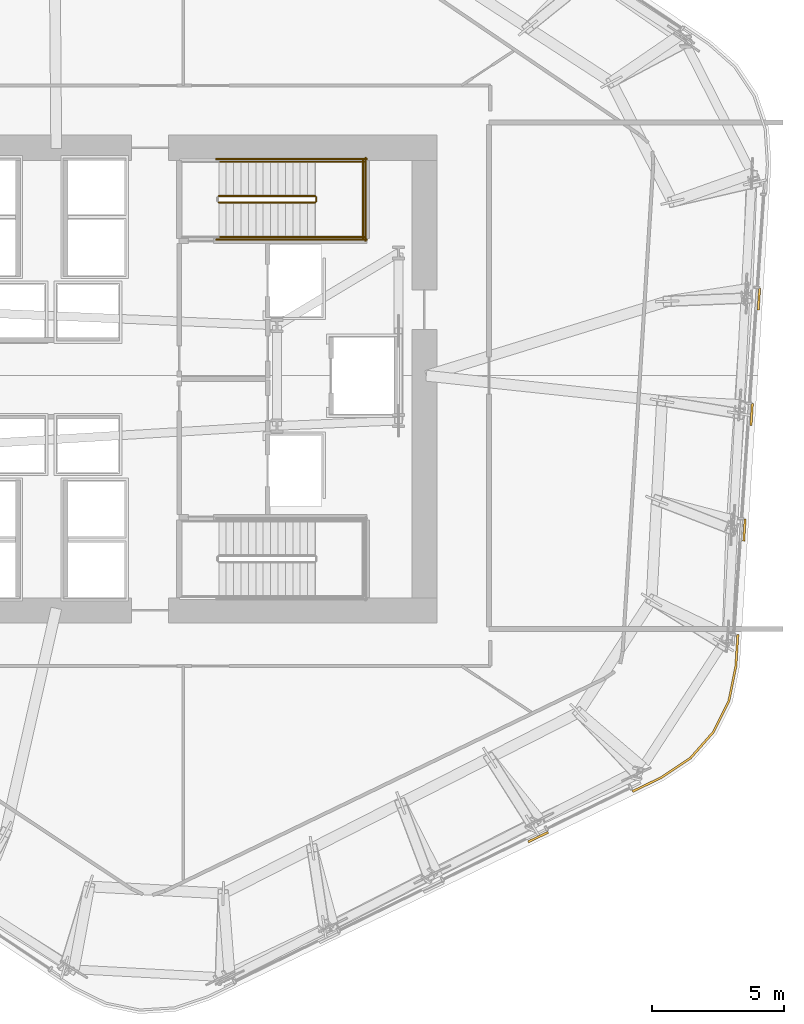
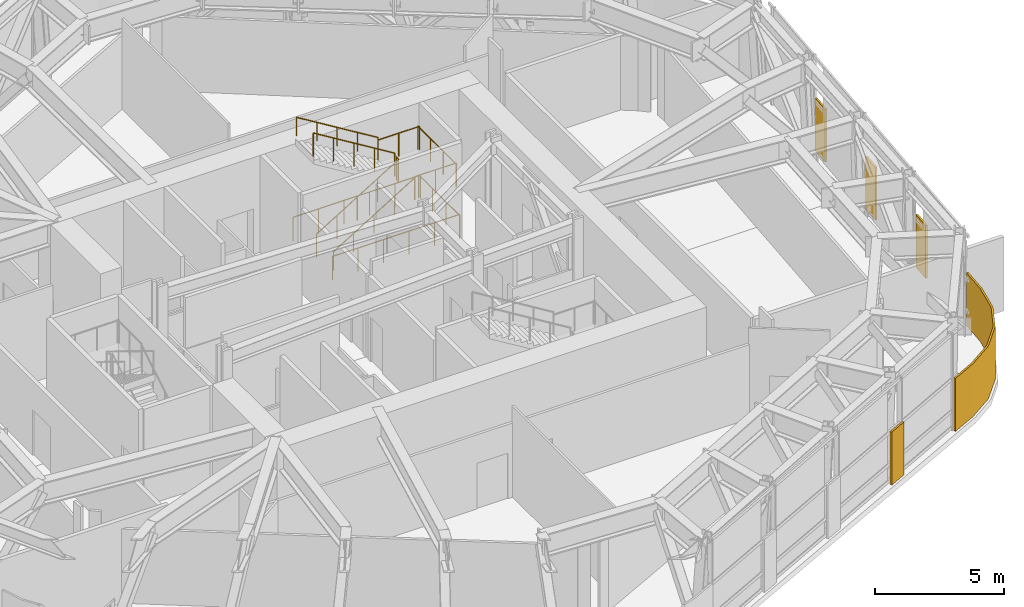
# One storey, part 13 of 14: 11 railings, 5 coverings.
"""IFC4 building model written with IfcOpenShell, lengths in metres."""

from ifc_helpers import new_model, si_unit, direction, frame, origin, origin_2d, place, context, subcontext, project, spatial, polyline, circle, outline, extrude, material, layer, layer_set, type_object, element, save


model = new_model("IFC4")

# Units and contexts
model_context = context("Model", 3, precision=1e-05, world=origin(), true_north=direction((0.0, 1.0)))
body_context = subcontext(model_context, "Body", "Model", "MODEL_VIEW")
ifc_project = project(units=[si_unit("LENGTHUNIT", "METRE"), si_unit("AREAUNIT", "SQUARE_METRE"), si_unit("VOLUMEUNIT", "CUBIC_METRE"), si_unit("PLANEANGLEUNIT", "RADIAN"), si_unit("MASSUNIT", "GRAM", prefix="KILO")], contexts=[model_context])

# Site, building, storey
site_placement = place(None, origin())
site = spatial("IfcSite", under=ifc_project, at=site_placement, CompositionType="ELEMENT")
building_placement = place(site_placement, origin())
building = spatial("IfcBuilding", under=site, at=building_placement, Name="Valkerne Bourse Tower", CompositionType="ELEMENT")
storey_placement = place(building_placement, frame((0.0, 0.0, 135.199951171875)))
storey = spatial("IfcBuildingStorey", under=building, at=storey_placement, Name="L34", CompositionType="ELEMENT", Elevation=135.199951171875)

# Coverings
ifc_material_1 = material(Name="Bronze Anodised Aluminium AA 6063-T6", Category="aluminium")
ifc_layer = layer(ifc_material_1, 0.06005859375)
ifc_layer_set = layer_set([ifc_layer], Name="Bronze Anodised Aluminium AA 6063-T6")
covering_type = type_object("IfcCoveringType", Name="COV-CRN-ALUM", PredefinedType="CLADDING", material=ifc_layer_set)
covering_1_placement = place(storey_placement, origin())
element("IfcCovering", 1, at=covering_1_placement, inside=storey, type_object=covering_type, Name="L34 Wind-Shaped Corner Aluminium Cladding 01", PredefinedType="CLADDING", context=body_context, shape_type="SweptSolid", body=[
    extrude(outline(polyline([(67.48779296875, 14.688720703125), (66.895751953125, 13.496337890625), (66.015380859375, 12.497802734375), (64.9013671875, 11.757568359375), (63.8173828125, 11.233642578125), (63.7822265625, 11.305419921875), (64.86181640625, 11.8271484375), (65.96240234375, 12.55859375), (66.828857421875, 13.541259765625), (67.411376953125, 14.714599609375), (67.672607421875, 16.010009765625), (67.747802734375, 17.20654296875), (67.827392578125, 17.201171875), (67.751953125, 15.999755859375), (67.48779296875, 14.688720703125)])), origin(), (0.0, 0.0, 1.0), 2.5),
])
covering_2_placement = place(storey_placement, origin())
element("IfcCovering", 2, at=covering_2_placement, inside=storey, type_object=covering_type, Name="L34 Wind-Shaped Corner Aluminium Cladding 02", PredefinedType="CLADDING", context=body_context, shape_type="SweptSolid", body=[
    extrude(outline(polyline([(59.871337890625, 9.326416015625), (59.836181640625, 9.398193359375), (60.592529296875, 9.763671875), (60.627685546875, 9.69189453125), (59.871337890625, 9.326416015625)])), origin(), (0.0, 0.0, 1.0), 2.5),
])
covering_3_placement = place(storey_placement, origin())
element("IfcCovering", 3, at=covering_3_placement, inside=storey, type_object=covering_type, Name="L34 Wind-Shaped Corner Aluminium Cladding 22", PredefinedType="CLADDING", context=body_context, shape_type="SweptSolid", body=[
    extrude(outline(polyline([(68.599609375, 29.486083984375), (68.519775390625, 29.491455078125), (68.572509765625, 30.329833984375), (68.65234375, 30.324462890625), (68.599609375, 29.486083984375)])), origin(), (0.0, 0.0, 1.0), 2.5),
])
covering_4_placement = place(storey_placement, origin())
element("IfcCovering", 4, at=covering_4_placement, inside=storey, type_object=covering_type, Name="L34 Wind-Shaped Corner Aluminium Cladding 23", PredefinedType="CLADDING", context=body_context, shape_type="SweptSolid", body=[
    extrude(outline(polyline([(68.32470703125, 25.111572265625), (68.244873046875, 25.116943359375), (68.297607421875, 25.955322265625), (68.37744140625, 25.949951171875), (68.32470703125, 25.111572265625)])), origin(), (0.0, 0.0, 1.0), 2.5),
])
covering_5_placement = place(storey_placement, origin())
element("IfcCovering", 5, at=covering_5_placement, inside=storey, type_object=covering_type, Name="L34 Wind-Shaped Corner Aluminium Cladding 24", PredefinedType="CLADDING", context=body_context, shape_type="SweptSolid", body=[
    extrude(outline(polyline([(68.0498046875, 20.7373046875), (67.969970703125, 20.74267578125), (68.022705078125, 21.5810546875), (68.102294921875, 21.57568359375), (68.0498046875, 20.7373046875)])), origin(), (0.0, 0.0, 1.0), 2.5),
])

# Railings
ifc_material_2 = material(Name="Galvanised Painted Steel", Category="steel")
railing_type_1 = type_object("IfcRailingType", Name="RLG-ST-GUARD-1120", PredefinedType="GUARDRAIL", material=ifc_material_2)
railing_1_placement = place(storey_placement, frame((48.14990234375, 33.550048828125, 0.17138671875)))
element("IfcRailing", 6, at=railing_1_placement, inside=storey, type_object=railing_type_1, Name="L34 ST-2 stair guard 1", PredefinedType="GUARDRAIL", context=body_context, shape_type="SweptSolid", body=[
    extrude(circle(Radius=0.02392578125, at=origin_2d()), frame((0.0, 0.0, 1.09619140625), z_axis=(0.852840387347, 0.0, 0.522171689878), x_axis=(0.0, 1.0, 0.0)), (0.0, 0.0, 1.0), 4.268310546875),
    extrude(circle(Radius=0.02099609375, at=origin_2d()), origin(), (0.0, 0.0, 1.0), 1.072021484375),
    extrude(circle(Radius=0.02099609375, at=origin_2d()), frame((0.91015625, 0.0, 0.55712890625)), (0.0, 0.0, 1.0), 1.072021484375),
    extrude(circle(Radius=0.02099609375, at=origin_2d()), frame((1.820068359375, 0.0, 1.1142578125)), (0.0, 0.0, 1.0), 1.072021484375),
    extrude(circle(Radius=0.02099609375, at=origin_2d()), frame((2.72998046875, 0.0, 1.671630859375)), (0.0, 0.0, 1.0), 1.072021484375),
    extrude(circle(Radius=0.02099609375, at=origin_2d()), frame((3.64013671875, 0.0, 2.228759765625)), (0.0, 0.0, 1.0), 1.072021484375),
])
railing_2_placement = place(storey_placement, frame((51.840087890625, 33.60009765625, 2.400146484375)))
element("IfcRailing", 7, at=railing_2_placement, inside=storey, type_object=railing_type_1, Name="L34 ST-2 stair guard 2", PredefinedType="GUARDRAIL", context=body_context, shape_type="SweptSolid", body=[
    extrude(circle(Radius=0.02392578125, at=origin_2d()), frame((0.0, 0.0, 1.09619140625), z_axis=(0.0, 1.0, 0.0), x_axis=(-1.0, 0.0, 0.0)), (0.0, 0.0, 1.0), 0.14990234375),
    extrude(circle(Radius=0.02099609375, at=origin_2d()), origin(), (0.0, 0.0, 1.0), 1.072021484375),
    extrude(circle(Radius=0.02099609375, at=origin_2d()), frame((0.0, 0.14990234375, 0.0)), (0.0, 0.0, 1.0), 1.072021484375),
])
for number, where, name in (
    (8, (51.7900390625, 32.25, 2.400146484375), "L34 ST-2 stair guard 3"),
    (9, (51.7900390625, 35.10009765625, 2.400146484375), "L34 ST-2 stair guard 4"),
):
    element("IfcRailing", number, at=place(storey_placement, frame(where)), inside=storey, type_object=railing_type_1, Name=name, PredefinedType="GUARDRAIL", context=body_context, shape_type="SweptSolid", body=[
        extrude(circle(Radius=0.02392578125, at=origin_2d()), frame((0.0, 0.0, 1.09619140625), z_axis=(1.0, 0.0, 0.0), x_axis=(0.0, 1.0, 0.0)), (0.0, 0.0, 1.0), 1.85986328125),
        extrude(circle(Radius=0.02099609375, at=origin_2d()), origin(), (0.0, 0.0, 1.0), 1.072021484375),
        extrude(circle(Radius=0.02099609375, at=origin_2d()), frame((0.929931640625, 0.0, 0.0)), (0.0, 0.0, 1.0), 1.072021484375),
        extrude(circle(Radius=0.02099609375, at=origin_2d()), frame((1.85986328125, 0.0, 0.0)), (0.0, 0.0, 1.0), 1.072021484375),
    ])
railing_3_placement = place(storey_placement, frame((53.60009765625, 32.199951171875, 2.400146484375)))
element("IfcRailing", 10, at=railing_3_placement, inside=storey, type_object=railing_type_1, Name="L34 ST-2 stair guard 5", PredefinedType="GUARDRAIL", context=body_context, shape_type="SweptSolid", body=[
    extrude(circle(Radius=0.02392578125, at=origin_2d()), frame((0.0, 0.0, 1.09619140625), z_axis=(0.0, 1.0, 0.0), x_axis=(-1.0, 0.0, 0.0)), (0.0, 0.0, 1.0), 2.949951171875),
    extrude(circle(Radius=0.02099609375, at=origin_2d()), origin(), (0.0, 0.0, 1.0), 1.072021484375),
    extrude(circle(Radius=0.02099609375, at=origin_2d()), frame((0.0, 0.9833984375, 0.0)), (0.0, 0.0, 1.0), 1.072021484375),
    extrude(circle(Radius=0.02099609375, at=origin_2d()), frame((0.0, 1.966552734375, 0.0)), (0.0, 0.0, 1.0), 1.072021484375),
    extrude(circle(Radius=0.02099609375, at=origin_2d()), frame((0.0, 2.949951171875, 0.0)), (0.0, 0.0, 1.0), 1.072021484375),
])
railing_4_placement = place(storey_placement, frame((51.7900390625, 33.800048828125, 2.571533203125)))
element("IfcRailing", 11, at=railing_4_placement, inside=storey, type_object=railing_type_1, Name="L34 ST-2 stair guard 6", PredefinedType="GUARDRAIL", context=body_context, shape_type="SweptSolid", body=[
    extrude(circle(Radius=0.02392578125, at=origin_2d()), frame((0.0, 0.0, 1.09619140625), z_axis=(-0.852865859571, 0.0, 0.52213008492), x_axis=(0.0, -1.0, 0.0)), (0.0, 0.0, 1.0), 4.26806640625),
    extrude(circle(Radius=0.02099609375, at=origin_2d()), origin(), (0.0, 0.0, 1.0), 1.072021484375),
    extrude(circle(Radius=0.02099609375, at=origin_2d()), frame((-0.91015625, 0.0, 0.55712890625)), (0.0, 0.0, 1.0), 1.072021484375),
    extrude(circle(Radius=0.02099609375, at=origin_2d()), frame((-1.820068359375, 0.0, 1.1142578125)), (0.0, 0.0, 1.0), 1.072021484375),
    extrude(circle(Radius=0.02099609375, at=origin_2d()), frame((-2.72998046875, 0.0, 1.67138671875)), (0.0, 0.0, 1.0), 1.072021484375),
    extrude(circle(Radius=0.02099609375, at=origin_2d()), frame((-3.64013671875, 0.0, 2.228515625)), (0.0, 0.0, 1.0), 1.072021484375),
])
for number, where, name in (
    (12, (48.050048828125, 32.14990234375, 0.0), "L34 ST-2 stair guard 10"),
    (13, (48.050048828125, 35.199951171875, 0.0), "L34 ST-2 stair guard 11"),
):
    element("IfcRailing", number, at=place(storey_placement, frame(where)), inside=storey, type_object=railing_type_1, Name=name, PredefinedType="GUARDRAIL", context=body_context, shape_type="SweptSolid", body=[
        extrude(circle(Radius=0.02392578125, at=origin_2d()), frame((0.0, 0.0, 1.09619140625), z_axis=(1.0, 0.0, 0.0), x_axis=(0.0, 1.0, 0.0)), (0.0, 0.0, 1.0), 5.699951171875),
        extrude(circle(Radius=0.02099609375, at=origin_2d()), origin(), (0.0, 0.0, 1.0), 1.072021484375),
        extrude(circle(Radius=0.02099609375, at=origin_2d()), frame((1.139892578125, 0.0, 0.0)), (0.0, 0.0, 1.0), 1.072021484375),
        extrude(circle(Radius=0.02099609375, at=origin_2d()), frame((2.280029296875, 0.0, 0.0)), (0.0, 0.0, 1.0), 1.072021484375),
        extrude(circle(Radius=0.02099609375, at=origin_2d()), frame((3.419921875, 0.0, 0.0)), (0.0, 0.0, 1.0), 1.072021484375),
        extrude(circle(Radius=0.02099609375, at=origin_2d()), frame((4.56005859375, 0.0, 0.0)), (0.0, 0.0, 1.0), 1.072021484375),
        extrude(circle(Radius=0.02099609375, at=origin_2d()), frame((5.699951171875, 0.0, 0.0)), (0.0, 0.0, 1.0), 1.072021484375),
    ])
railing_5_placement = place(storey_placement, frame((53.699951171875, 32.10009765625, 0.0)))
element("IfcRailing", 14, at=railing_5_placement, inside=storey, type_object=railing_type_1, Name="L34 ST-2 stair guard 12", PredefinedType="GUARDRAIL", context=body_context, shape_type="SweptSolid", body=[
    extrude(circle(Radius=0.02392578125, at=origin_2d()), frame((0.0, 0.0, 1.09619140625), z_axis=(0.0, 1.0, 0.0), x_axis=(-1.0, 0.0, 0.0)), (0.0, 0.0, 1.0), 3.14990234375),
    extrude(circle(Radius=0.02099609375, at=origin_2d()), origin(), (0.0, 0.0, 1.0), 1.072021484375),
    extrude(circle(Radius=0.02099609375, at=origin_2d()), frame((0.0, 1.050048828125, 0.0)), (0.0, 0.0, 1.0), 1.072021484375),
    extrude(circle(Radius=0.02099609375, at=origin_2d()), frame((0.0, 2.099853515625, 0.0)), (0.0, 0.0, 1.0), 1.072021484375),
    extrude(circle(Radius=0.02099609375, at=origin_2d()), frame((0.0, 3.14990234375, 0.0)), (0.0, 0.0, 1.0), 1.072021484375),
])
ifc_material_3 = material(Name="Stainless Steel AISI 316", Category="steel")
railing_type_2 = type_object("IfcRailingType", Name="RLG-ST-HANDRAIL-900", PredefinedType="HANDRAIL", material=ifc_material_3)
railing_6_placement = place(storey_placement, frame((48.14990234375, 32.25, 0.343017578125)))
element("IfcRailing", 15, at=railing_6_placement, inside=storey, type_object=railing_type_2, Name="L34 ST-2 stair handrail 1", PredefinedType="HANDRAIL", context=body_context, shape_type="SweptSolid", body=[
    extrude(circle(Radius=0.02392578125, at=origin_2d()), frame((0.0, 0.0, 0.8759765625), z_axis=(0.852865859571, 0.0, 0.52213008492), x_axis=(0.0, 1.0, 0.0)), (0.0, 0.0, 1.0), 4.26806640625),
    extrude(circle(Radius=0.02099609375, at=origin_2d()), origin(), (0.0, 0.0, 1.0), 0.851806640625),
    extrude(circle(Radius=0.02099609375, at=origin_2d()), frame((0.91015625, 0.0, 0.55712890625)), (0.0, 0.0, 1.0), 0.851806640625),
    extrude(circle(Radius=0.02099609375, at=origin_2d()), frame((1.820068359375, 0.0, 1.1142578125)), (0.0, 0.0, 1.0), 0.851806640625),
    extrude(circle(Radius=0.02099609375, at=origin_2d()), frame((2.72998046875, 0.0, 1.67138671875)), (0.0, 0.0, 1.0), 0.851806640625),
    extrude(circle(Radius=0.02099609375, at=origin_2d()), frame((3.64013671875, 0.0, 2.228515625)), (0.0, 0.0, 1.0), 0.851806640625),
])
railing_7_placement = place(storey_placement, frame((51.7900390625, 35.10009765625, 2.742919921875)))
element("IfcRailing", 16, at=railing_7_placement, inside=storey, type_object=railing_type_2, Name="L34 ST-2 stair handrail 2", PredefinedType="HANDRAIL", context=body_context, shape_type="SweptSolid", body=[
    extrude(circle(Radius=0.02392578125, at=origin_2d()), frame((0.0, 0.0, 0.8759765625), z_axis=(-0.852865859571, 0.0, 0.52213008492), x_axis=(0.0, -1.0, 0.0)), (0.0, 0.0, 1.0), 4.26806640625),
    extrude(circle(Radius=0.02099609375, at=origin_2d()), origin(), (0.0, 0.0, 1.0), 0.851806640625),
    extrude(circle(Radius=0.02099609375, at=origin_2d()), frame((-0.91015625, 0.0, 0.55712890625)), (0.0, 0.0, 1.0), 0.851806640625),
    extrude(circle(Radius=0.02099609375, at=origin_2d()), frame((-1.820068359375, 0.0, 1.1142578125)), (0.0, 0.0, 1.0), 0.851806640625),
    extrude(circle(Radius=0.02099609375, at=origin_2d()), frame((-2.72998046875, 0.0, 1.67138671875)), (0.0, 0.0, 1.0), 0.851806640625),
    extrude(circle(Radius=0.02099609375, at=origin_2d()), frame((-3.64013671875, 0.0, 2.228515625)), (0.0, 0.0, 1.0), 0.851806640625),
])

save(model, "model.ifc")
